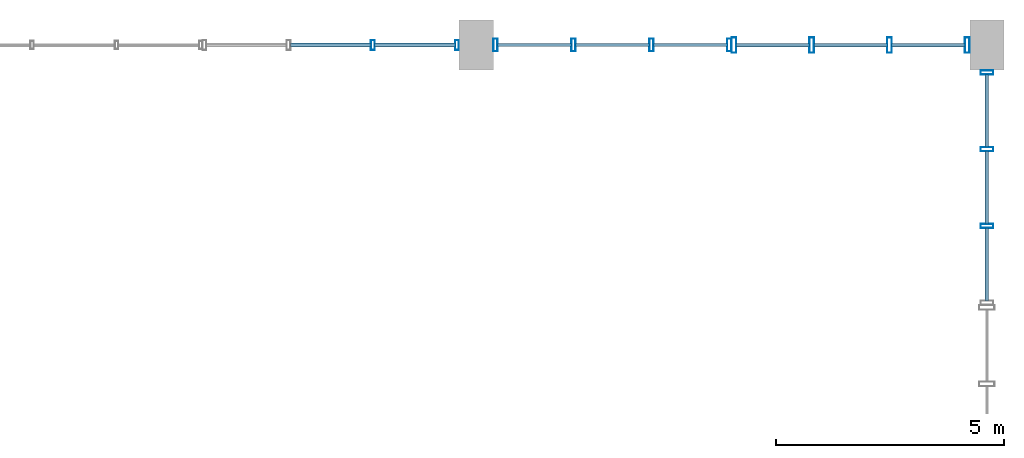
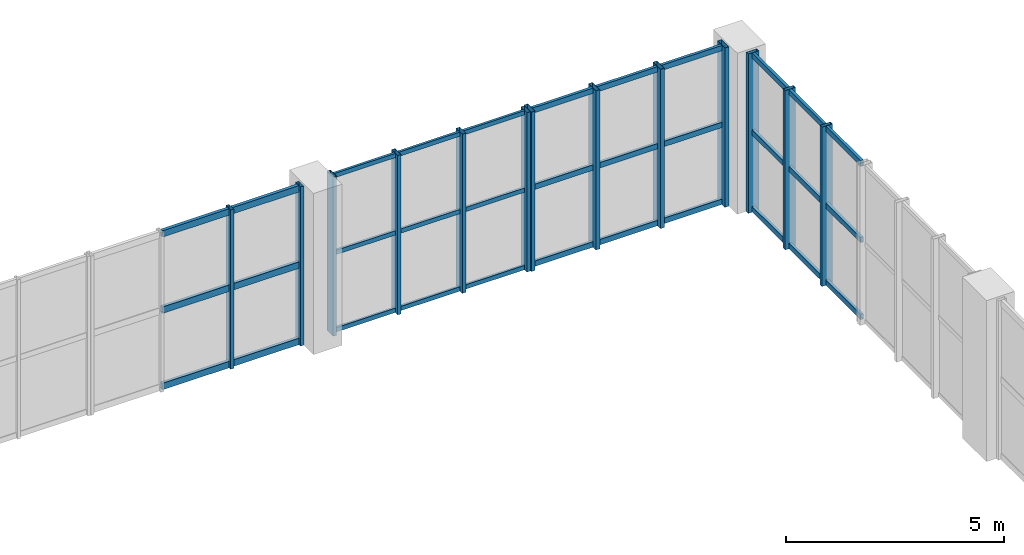
# One storey, part 29 of 48: 46 members, 4 elements without a shape of their own.
"""IFC4 building model written with IfcOpenShell, lengths in metres."""

from ifc_helpers import new_model, si_unit, direction, frame, origin, origin_2d, place, context, subcontext, project, spatial, hollow_rectangle, extrude, material, layer, layer_set, material_profile, profile_set, type_object, element, aggregate, save


model = new_model("IFC4")

# Units and contexts
model_context = context("Model", 3, precision=1e-05, world=origin(), true_north=direction((0.0, 1.0)))
body_context = subcontext(model_context, "Body", "Model", "MODEL_VIEW")
ifc_project = project(units=[si_unit("LENGTHUNIT", "METRE"), si_unit("AREAUNIT", "SQUARE_METRE"), si_unit("VOLUMEUNIT", "CUBIC_METRE"), si_unit("PLANEANGLEUNIT", "RADIAN"), si_unit("MASSUNIT", "GRAM", prefix="KILO"), si_unit("POWERUNIT", "WATT"), si_unit("THERMODYNAMICTEMPERATUREUNIT", "KELVIN")], contexts=[model_context])

# Site, building, storey
site_placement = place(None, origin())
site = spatial("IfcSite", under=ifc_project, at=site_placement, CompositionType="ELEMENT")
building_placement = place(site_placement, origin())
building = spatial("IfcBuilding", under=site, at=building_placement, Name="Kelmbourne Parkland Aquatics Centre", CompositionType="ELEMENT")
storey_placement = place(building_placement, frame((0.0, 0.0, 14.699951171875)))
storey = spatial("IfcBuildingStorey", under=building, at=storey_placement, Name="L03", CompositionType="ELEMENT", Elevation=14.699951171875)

# Curtain wall, members
ifc_material = material(Name="Thermally broken anodised aluminium framing", Category="aluminium")
ifc_layer_1 = layer(ifc_material, 0.179931640625)
ifc_layer_set_1 = layer_set([ifc_layer_1], Name="Thermally broken anodised aluminium framing")
curtain_wall_type_1 = type_object("IfcCurtainWallType", Name="CW-08", PredefinedType="NOTDEFINED", material=ifc_layer_set_1)
curtain_wall_1_placement = place(storey_placement, origin())
curtain_wall_1 = element("IfcCurtainWall", 1, at=curtain_wall_1_placement, inside=storey, type_object=curtain_wall_type_1, Name="Wave-hall clerestory curtain wall CW-L03-152", PredefinedType="NOTDEFINED")
ifc_material_profile_1 = material_profile(ifc_material, hollow_rectangle(XDim=0.0849609375, YDim=0.219970703125, WallThickness=0.0048828125, at=origin_2d()), Name="CW-M 85x220")
ifc_profile_set_1 = profile_set([ifc_material_profile_1], Name="Thermally broken anodised aluminium framing")
member_type_1 = type_object("IfcMemberType", Name="MB-MUL-3", PredefinedType="MULLION", material=ifc_profile_set_1)
member_1_placement = place(storey_placement, frame((161.734619140625, 114.800048828125, 0.0), z_axis=(0.0, 0.0, 1.0), x_axis=(1.0, 0.0, 0.0)))
member_1 = element("IfcMember", 2, at=member_1_placement, type_object=member_type_1, Name="CW-L03-152 mullion 2", PredefinedType="MULLION", context=body_context, shape_type="SweptSolid", body=[
    extrude(hollow_rectangle(XDim=0.0849609375, YDim=0.219970703125, WallThickness=0.0048828125, at=origin_2d()), origin(), (0.0, 0.0, 1.0), 4.449951171875),
])
member_2_placement = place(storey_placement, frame((163.58056640625, 114.800048828125, 0.0), z_axis=(0.0, 0.0, 1.0), x_axis=(1.0, 0.0, 0.0)))
member_2 = element("IfcMember", 3, at=member_2_placement, type_object=member_type_1, Name="CW-L03-152 mullion 3", PredefinedType="MULLION", context=body_context, shape_type="SweptSolid", body=[
    extrude(hollow_rectangle(XDim=0.0849609375, YDim=0.219970703125, WallThickness=0.0048828125, at=origin_2d()), origin(), (0.0, 0.0, 1.0), 4.449951171875),
])

ifc_layer_2 = layer(ifc_material, 0.179931640625)
ifc_layer_set_2 = layer_set([ifc_layer_2], Name="Thermally broken anodised aluminium framing")
curtain_wall_type_2 = type_object("IfcCurtainWallType", Name="CW-07", PredefinedType="NOTDEFINED", material=ifc_layer_set_2)
curtain_wall_2_placement = place(storey_placement, origin())
curtain_wall_2 = element("IfcCurtainWall", 4, at=curtain_wall_2_placement, inside=storey, type_object=curtain_wall_type_2, Name="Wave-hall clerestory curtain wall CW-L03-103", PredefinedType="NOTDEFINED")
ifc_material_profile_2 = material_profile(ifc_material, hollow_rectangle(XDim=0.094970703125, YDim=0.280029296875, WallThickness=0.005615234375, at=origin_2d()), Name="CW-M 95x280")
ifc_profile_set_2 = profile_set([ifc_material_profile_2], Name="Thermally broken anodised aluminium framing")
member_type_2 = type_object("IfcMemberType", Name="MB-MUL-4", PredefinedType="MULLION", material=ifc_profile_set_2)
member_3_placement = place(storey_placement, frame((175.199951171875, 110.831787109375, 0.0), z_axis=(0.0, 0.0, 1.0), x_axis=(0.0, 1.0, 0.0)))
member_3 = element("IfcMember", 5, at=member_3_placement, type_object=member_type_2, Name="CW-L03-103 mullion 1", PredefinedType="MULLION", context=body_context, shape_type="SweptSolid", body=[
    extrude(hollow_rectangle(XDim=0.094970703125, YDim=0.280029296875, WallThickness=0.005615234375, at=origin_2d()), origin(), (0.0, 0.0, 1.0), 4.449951171875),
])
member_4_placement = place(storey_placement, frame((175.199951171875, 112.51611328125, 0.0), z_axis=(0.0, 0.0, 1.0), x_axis=(0.0, 1.0, 0.0)))
member_4 = element("IfcMember", 6, at=member_4_placement, type_object=member_type_2, Name="CW-L03-103 mullion 2", PredefinedType="MULLION", context=body_context, shape_type="SweptSolid", body=[
    extrude(hollow_rectangle(XDim=0.094970703125, YDim=0.280029296875, WallThickness=0.005615234375, at=origin_2d()), origin(), (0.0, 0.0, 1.0), 4.449951171875),
])
member_5_placement = place(storey_placement, frame((175.199951171875, 114.200439453125, 0.0), z_axis=(0.0, 0.0, 1.0), x_axis=(0.0, 1.0, 0.0)))
member_5 = element("IfcMember", 7, at=member_5_placement, type_object=member_type_2, Name="CW-L03-103 mullion 3", PredefinedType="MULLION", context=body_context, shape_type="SweptSolid", body=[
    extrude(hollow_rectangle(XDim=0.094970703125, YDim=0.280029296875, WallThickness=0.005615234375, at=origin_2d()), origin(), (0.0, 0.0, 1.0), 4.449951171875),
])

ifc_layer_3 = layer(ifc_material, 0.179931640625)
ifc_layer_set_3 = layer_set([ifc_layer_3], Name="Thermally broken anodised aluminium framing")
curtain_wall_type_3 = type_object("IfcCurtainWallType", Name="CW-09", PredefinedType="NOTDEFINED", material=ifc_layer_set_3)
curtain_wall_3_placement = place(storey_placement, origin())
curtain_wall_3 = element("IfcCurtainWall", 8, at=curtain_wall_3_placement, inside=storey, type_object=curtain_wall_type_3, Name="Wave-hall clerestory curtain wall CW-L03-153", PredefinedType="NOTDEFINED")
member_6_placement = place(storey_placement, frame((164.424560546875, 114.800048828125, 0.0), z_axis=(0.0, 0.0, 1.0), x_axis=(1.0, 0.0, 0.0)))
member_6 = element("IfcMember", 9, at=member_6_placement, type_object=member_type_2, Name="CW-L03-153 mullion 0", PredefinedType="MULLION", context=body_context, shape_type="SweptSolid", body=[
    extrude(hollow_rectangle(XDim=0.094970703125, YDim=0.280029296875, WallThickness=0.005615234375, at=origin_2d()), origin(), (0.0, 0.0, 1.0), 4.449951171875),
])
member_7_placement = place(storey_placement, frame((166.1337890625, 114.800048828125, 0.0), z_axis=(0.0, 0.0, 1.0), x_axis=(1.0, 0.0, 0.0)))
member_7 = element("IfcMember", 10, at=member_7_placement, type_object=member_type_2, Name="CW-L03-153 mullion 1", PredefinedType="MULLION", context=body_context, shape_type="SweptSolid", body=[
    extrude(hollow_rectangle(XDim=0.094970703125, YDim=0.280029296875, WallThickness=0.005615234375, at=origin_2d()), origin(), (0.0, 0.0, 1.0), 4.449951171875),
])
member_8_placement = place(storey_placement, frame((167.84326171875, 114.800048828125, 0.0), z_axis=(0.0, 0.0, 1.0), x_axis=(1.0, 0.0, 0.0)))
member_8 = element("IfcMember", 11, at=member_8_placement, type_object=member_type_2, Name="CW-L03-153 mullion 2", PredefinedType="MULLION", context=body_context, shape_type="SweptSolid", body=[
    extrude(hollow_rectangle(XDim=0.094970703125, YDim=0.280029296875, WallThickness=0.005615234375, at=origin_2d()), origin(), (0.0, 0.0, 1.0), 4.449951171875),
])
member_9_placement = place(storey_placement, frame((169.552490234375, 114.800048828125, 0.0), z_axis=(0.0, 0.0, 1.0), x_axis=(1.0, 0.0, 0.0)))
member_9 = element("IfcMember", 12, at=member_9_placement, type_object=member_type_2, Name="CW-L03-153 mullion 3", PredefinedType="MULLION", context=body_context, shape_type="SweptSolid", body=[
    extrude(hollow_rectangle(XDim=0.094970703125, YDim=0.280029296875, WallThickness=0.005615234375, at=origin_2d()), origin(), (0.0, 0.0, 1.0), 4.449951171875),
])

ifc_layer_4 = layer(ifc_material, 0.179931640625)
ifc_layer_set_4 = layer_set([ifc_layer_4], Name="Thermally broken anodised aluminium framing")
curtain_wall_type_4 = type_object("IfcCurtainWallType", Name="CW-10", PredefinedType="NOTDEFINED", material=ifc_layer_set_4)
curtain_wall_4_placement = place(storey_placement, origin())
curtain_wall_4 = element("IfcCurtainWall", 13, at=curtain_wall_4_placement, inside=storey, type_object=curtain_wall_type_4, Name="Wave-hall clerestory curtain wall CW-L03-154", PredefinedType="NOTDEFINED")
ifc_material_profile_3 = material_profile(ifc_material, hollow_rectangle(XDim=0.10498046875, YDim=0.340087890625, WallThickness=0.006103515625, at=origin_2d()), Name="CW-M 105x340")
ifc_profile_set_3 = profile_set([ifc_material_profile_3], Name="Thermally broken anodised aluminium framing")
member_type_3 = type_object("IfcMemberType", Name="MB-MUL-5", PredefinedType="MULLION", material=ifc_profile_set_3)
member_10_placement = place(storey_placement, frame((169.652587890625, 114.800048828125, 0.0), z_axis=(0.0, 0.0, 1.0), x_axis=(1.0, 0.0, 0.0)))
member_10 = element("IfcMember", 14, at=member_10_placement, type_object=member_type_3, Name="CW-L03-154 mullion 0", PredefinedType="MULLION", context=body_context, shape_type="SweptSolid", body=[
    extrude(hollow_rectangle(XDim=0.10498046875, YDim=0.340087890625, WallThickness=0.006103515625, at=origin_2d()), origin(), (0.0, 0.0, 1.0), 4.449951171875),
])
member_11_placement = place(storey_placement, frame((171.3583984375, 114.800048828125, 0.0), z_axis=(0.0, 0.0, 1.0), x_axis=(1.0, 0.0, 0.0)))
member_11 = element("IfcMember", 15, at=member_11_placement, type_object=member_type_3, Name="CW-L03-154 mullion 1", PredefinedType="MULLION", context=body_context, shape_type="SweptSolid", body=[
    extrude(hollow_rectangle(XDim=0.10498046875, YDim=0.340087890625, WallThickness=0.006103515625, at=origin_2d()), origin(), (0.0, 0.0, 1.0), 4.449951171875),
])
member_12_placement = place(storey_placement, frame((173.064453125, 114.800048828125, 0.0), z_axis=(0.0, 0.0, 1.0), x_axis=(1.0, 0.0, 0.0)))
member_12 = element("IfcMember", 16, at=member_12_placement, type_object=member_type_3, Name="CW-L03-154 mullion 2", PredefinedType="MULLION", context=body_context, shape_type="SweptSolid", body=[
    extrude(hollow_rectangle(XDim=0.10498046875, YDim=0.340087890625, WallThickness=0.006103515625, at=origin_2d()), origin(), (0.0, 0.0, 1.0), 4.449951171875),
])
member_13_placement = place(storey_placement, frame((174.7705078125, 114.800048828125, 0.0), z_axis=(0.0, 0.0, 1.0), x_axis=(1.0, 0.0, 0.0)))
member_13 = element("IfcMember", 17, at=member_13_placement, type_object=member_type_3, Name="CW-L03-154 mullion 3", PredefinedType="MULLION", context=body_context, shape_type="SweptSolid", body=[
    extrude(hollow_rectangle(XDim=0.10498046875, YDim=0.340087890625, WallThickness=0.006103515625, at=origin_2d()), origin(), (0.0, 0.0, 1.0), 4.449951171875),
])

# Member
ifc_material_profile_4 = material_profile(ifc_material, hollow_rectangle(XDim=0.06494140625, YDim=0.1201171875, WallThickness=0.00341796875, at=origin_2d()), Name="CW-T 65x120")
ifc_profile_set_4 = profile_set([ifc_material_profile_4], Name="Thermally broken anodised aluminium framing")
member_type_4 = type_object("IfcMemberType", Name="MB-TRN-1", PredefinedType="USERDEFINED", material=ifc_profile_set_4)
member_14_placement = place(storey_placement, frame((164.468017578125, 114.800048828125, 0.06298828125), z_axis=(1.0, 0.0, 0.0), x_axis=(0.0, 1.0, 0.0)))
member_14 = element("IfcMember", 18, at=member_14_placement, type_object=member_type_4, Name="CW-L03-153 transom 0-0", ObjectType="TRANSOM", PredefinedType="USERDEFINED", context=body_context, shape_type="SweptSolid", body=[
    extrude(hollow_rectangle(XDim=0.06494140625, YDim=0.1201171875, WallThickness=0.00341796875, at=origin_2d()), origin(), (0.0, 0.0, 1.0), 1.622314453125),
])

member_15_placement = place(storey_placement, frame((166.17724609375, 114.800048828125, 0.06298828125), z_axis=(1.0, 0.0, 0.0), x_axis=(0.0, 1.0, 0.0)))
member_15 = element("IfcMember", 19, at=member_15_placement, type_object=member_type_4, Name="CW-L03-153 transom 0-1", ObjectType="TRANSOM", PredefinedType="USERDEFINED", context=body_context, shape_type="SweptSolid", body=[
    extrude(hollow_rectangle(XDim=0.06494140625, YDim=0.1201171875, WallThickness=0.00341796875, at=origin_2d()), origin(), (0.0, 0.0, 1.0), 1.62255859375),
])

member_16_placement = place(storey_placement, frame((167.88671875, 114.800048828125, 0.06298828125), z_axis=(1.0, 0.0, 0.0), x_axis=(0.0, 1.0, 0.0)))
member_16 = element("IfcMember", 20, at=member_16_placement, type_object=member_type_4, Name="CW-L03-153 transom 0-2", ObjectType="TRANSOM", PredefinedType="USERDEFINED", context=body_context, shape_type="SweptSolid", body=[
    extrude(hollow_rectangle(XDim=0.06494140625, YDim=0.1201171875, WallThickness=0.00341796875, at=origin_2d()), origin(), (0.0, 0.0, 1.0), 1.622314453125),
])

member_17_placement = place(storey_placement, frame((164.468017578125, 114.800048828125, 2.22509765625), z_axis=(1.0, 0.0, 0.0), x_axis=(0.0, 1.0, 0.0)))
member_17 = element("IfcMember", 21, at=member_17_placement, type_object=member_type_4, Name="CW-L03-153 transom 1-0", ObjectType="TRANSOM", PredefinedType="USERDEFINED", context=body_context, shape_type="SweptSolid", body=[
    extrude(hollow_rectangle(XDim=0.06494140625, YDim=0.1201171875, WallThickness=0.00341796875, at=origin_2d()), origin(), (0.0, 0.0, 1.0), 1.622314453125),
])

member_18_placement = place(storey_placement, frame((166.17724609375, 114.800048828125, 2.22509765625), z_axis=(1.0, 0.0, 0.0), x_axis=(0.0, 1.0, 0.0)))
member_18 = element("IfcMember", 22, at=member_18_placement, type_object=member_type_4, Name="CW-L03-153 transom 1-1", ObjectType="TRANSOM", PredefinedType="USERDEFINED", context=body_context, shape_type="SweptSolid", body=[
    extrude(hollow_rectangle(XDim=0.06494140625, YDim=0.1201171875, WallThickness=0.00341796875, at=origin_2d()), origin(), (0.0, 0.0, 1.0), 1.62255859375),
])

member_19_placement = place(storey_placement, frame((167.88671875, 114.800048828125, 2.22509765625), z_axis=(1.0, 0.0, 0.0), x_axis=(0.0, 1.0, 0.0)))
member_19 = element("IfcMember", 23, at=member_19_placement, type_object=member_type_4, Name="CW-L03-153 transom 1-2", ObjectType="TRANSOM", PredefinedType="USERDEFINED", context=body_context, shape_type="SweptSolid", body=[
    extrude(hollow_rectangle(XDim=0.06494140625, YDim=0.1201171875, WallThickness=0.00341796875, at=origin_2d()), origin(), (0.0, 0.0, 1.0), 1.622314453125),
])

member_20_placement = place(storey_placement, frame((164.468017578125, 114.800048828125, 4.386962890625), z_axis=(1.0, 0.0, 0.0), x_axis=(0.0, 1.0, 0.0)))
member_20 = element("IfcMember", 24, at=member_20_placement, type_object=member_type_4, Name="CW-L03-153 transom 2-0", ObjectType="TRANSOM", PredefinedType="USERDEFINED", context=body_context, shape_type="SweptSolid", body=[
    extrude(hollow_rectangle(XDim=0.06494140625, YDim=0.1201171875, WallThickness=0.00341796875, at=origin_2d()), origin(), (0.0, 0.0, 1.0), 1.622314453125),
])

member_21_placement = place(storey_placement, frame((166.17724609375, 114.800048828125, 4.386962890625), z_axis=(1.0, 0.0, 0.0), x_axis=(0.0, 1.0, 0.0)))
member_21 = element("IfcMember", 25, at=member_21_placement, type_object=member_type_4, Name="CW-L03-153 transom 2-1", ObjectType="TRANSOM", PredefinedType="USERDEFINED", context=body_context, shape_type="SweptSolid", body=[
    extrude(hollow_rectangle(XDim=0.06494140625, YDim=0.1201171875, WallThickness=0.00341796875, at=origin_2d()), origin(), (0.0, 0.0, 1.0), 1.62255859375),
])

member_22_placement = place(storey_placement, frame((167.88671875, 114.800048828125, 4.386962890625), z_axis=(1.0, 0.0, 0.0), x_axis=(0.0, 1.0, 0.0)))
member_22 = element("IfcMember", 26, at=member_22_placement, type_object=member_type_4, Name="CW-L03-153 transom 2-2", ObjectType="TRANSOM", PredefinedType="USERDEFINED", context=body_context, shape_type="SweptSolid", body=[
    extrude(hollow_rectangle(XDim=0.06494140625, YDim=0.1201171875, WallThickness=0.00341796875, at=origin_2d()), origin(), (0.0, 0.0, 1.0), 1.622314453125),
])

aggregate(curtain_wall_3, [member_6, member_7, member_8, member_9, member_14, member_15, member_16, member_17, member_18, member_19, member_20, member_21, member_22])

ifc_material_profile_5 = material_profile(ifc_material, hollow_rectangle(XDim=0.074951171875, YDim=0.14990234375, WallThickness=0.00390625, at=origin_2d()), Name="CW-T 75x150")
ifc_profile_set_5 = profile_set([ifc_material_profile_5], Name="Thermally broken anodised aluminium framing")
member_type_5 = type_object("IfcMemberType", Name="MB-TRN-2", PredefinedType="USERDEFINED", material=ifc_profile_set_5)
member_23_placement = place(storey_placement, frame((175.199951171875, 109.19091796875, 0.078125), z_axis=(0.0, 1.0, 0.0), x_axis=(-1.0, 0.0, 0.0)))
member_23 = element("IfcMember", 27, at=member_23_placement, type_object=member_type_5, Name="CW-L03-103 transom 0-0", ObjectType="TRANSOM", PredefinedType="USERDEFINED", context=body_context, shape_type="SweptSolid", body=[
    extrude(hollow_rectangle(XDim=0.074951171875, YDim=0.14990234375, WallThickness=0.00390625, at=origin_2d()), origin(), (0.0, 0.0, 1.0), 1.597412109375),
])

member_24_placement = place(storey_placement, frame((175.199951171875, 110.875244140625, 0.078125), z_axis=(0.0, 1.0, 0.0), x_axis=(-1.0, 0.0, 0.0)))
member_24 = element("IfcMember", 28, at=member_24_placement, type_object=member_type_5, Name="CW-L03-103 transom 0-1", ObjectType="TRANSOM", PredefinedType="USERDEFINED", context=body_context, shape_type="SweptSolid", body=[
    extrude(hollow_rectangle(XDim=0.074951171875, YDim=0.14990234375, WallThickness=0.00390625, at=origin_2d()), origin(), (0.0, 0.0, 1.0), 1.597412109375),
])

member_25_placement = place(storey_placement, frame((175.199951171875, 112.559814453125, 0.078125), z_axis=(0.0, 1.0, 0.0), x_axis=(-1.0, 0.0, 0.0)))
member_25 = element("IfcMember", 29, at=member_25_placement, type_object=member_type_5, Name="CW-L03-103 transom 0-2", ObjectType="TRANSOM", PredefinedType="USERDEFINED", context=body_context, shape_type="SweptSolid", body=[
    extrude(hollow_rectangle(XDim=0.074951171875, YDim=0.14990234375, WallThickness=0.00390625, at=origin_2d()), origin(), (0.0, 0.0, 1.0), 1.59716796875),
])

member_26_placement = place(storey_placement, frame((175.199951171875, 109.19091796875, 2.22509765625), z_axis=(0.0, 1.0, 0.0), x_axis=(-1.0, 0.0, 0.0)))
member_26 = element("IfcMember", 30, at=member_26_placement, type_object=member_type_5, Name="CW-L03-103 transom 1-0", ObjectType="TRANSOM", PredefinedType="USERDEFINED", context=body_context, shape_type="SweptSolid", body=[
    extrude(hollow_rectangle(XDim=0.074951171875, YDim=0.14990234375, WallThickness=0.00390625, at=origin_2d()), origin(), (0.0, 0.0, 1.0), 1.597412109375),
])

member_27_placement = place(storey_placement, frame((175.199951171875, 110.875244140625, 2.22509765625), z_axis=(0.0, 1.0, 0.0), x_axis=(-1.0, 0.0, 0.0)))
member_27 = element("IfcMember", 31, at=member_27_placement, type_object=member_type_5, Name="CW-L03-103 transom 1-1", ObjectType="TRANSOM", PredefinedType="USERDEFINED", context=body_context, shape_type="SweptSolid", body=[
    extrude(hollow_rectangle(XDim=0.074951171875, YDim=0.14990234375, WallThickness=0.00390625, at=origin_2d()), origin(), (0.0, 0.0, 1.0), 1.597412109375),
])

member_28_placement = place(storey_placement, frame((175.199951171875, 112.559814453125, 2.22509765625), z_axis=(0.0, 1.0, 0.0), x_axis=(-1.0, 0.0, 0.0)))
member_28 = element("IfcMember", 32, at=member_28_placement, type_object=member_type_5, Name="CW-L03-103 transom 1-2", ObjectType="TRANSOM", PredefinedType="USERDEFINED", context=body_context, shape_type="SweptSolid", body=[
    extrude(hollow_rectangle(XDim=0.074951171875, YDim=0.14990234375, WallThickness=0.00390625, at=origin_2d()), origin(), (0.0, 0.0, 1.0), 1.59716796875),
])

member_29_placement = place(storey_placement, frame((175.199951171875, 109.19091796875, 4.3720703125), z_axis=(0.0, 1.0, 0.0), x_axis=(-1.0, 0.0, 0.0)))
member_29 = element("IfcMember", 33, at=member_29_placement, type_object=member_type_5, Name="CW-L03-103 transom 2-0", ObjectType="TRANSOM", PredefinedType="USERDEFINED", context=body_context, shape_type="SweptSolid", body=[
    extrude(hollow_rectangle(XDim=0.074951171875, YDim=0.14990234375, WallThickness=0.00390625, at=origin_2d()), origin(), (0.0, 0.0, 1.0), 1.597412109375),
])

member_30_placement = place(storey_placement, frame((175.199951171875, 110.875244140625, 4.3720703125), z_axis=(0.0, 1.0, 0.0), x_axis=(-1.0, 0.0, 0.0)))
member_30 = element("IfcMember", 34, at=member_30_placement, type_object=member_type_5, Name="CW-L03-103 transom 2-1", ObjectType="TRANSOM", PredefinedType="USERDEFINED", context=body_context, shape_type="SweptSolid", body=[
    extrude(hollow_rectangle(XDim=0.074951171875, YDim=0.14990234375, WallThickness=0.00390625, at=origin_2d()), origin(), (0.0, 0.0, 1.0), 1.597412109375),
])

member_31_placement = place(storey_placement, frame((175.199951171875, 112.559814453125, 4.3720703125), z_axis=(0.0, 1.0, 0.0), x_axis=(-1.0, 0.0, 0.0)))
member_31 = element("IfcMember", 35, at=member_31_placement, type_object=member_type_5, Name="CW-L03-103 transom 2-2", ObjectType="TRANSOM", PredefinedType="USERDEFINED", context=body_context, shape_type="SweptSolid", body=[
    extrude(hollow_rectangle(XDim=0.074951171875, YDim=0.14990234375, WallThickness=0.00390625, at=origin_2d()), origin(), (0.0, 0.0, 1.0), 1.59716796875),
])

aggregate(curtain_wall_2, [member_3, member_4, member_5, member_23, member_24, member_25, member_26, member_27, member_28, member_29, member_30, member_31])

member_32_placement = place(storey_placement, frame((169.700927734375, 114.800048828125, 0.078125), z_axis=(1.0, 0.0, 0.0), x_axis=(0.0, 1.0, 0.0)))
member_32 = element("IfcMember", 36, at=member_32_placement, type_object=member_type_5, Name="CW-L03-154 transom 0-0", ObjectType="TRANSOM", PredefinedType="USERDEFINED", context=body_context, shape_type="SweptSolid", body=[
    extrude(hollow_rectangle(XDim=0.074951171875, YDim=0.14990234375, WallThickness=0.00390625, at=origin_2d()), origin(), (0.0, 0.0, 1.0), 1.609130859375),
])

member_33_placement = place(storey_placement, frame((171.406982421875, 114.800048828125, 0.078125), z_axis=(1.0, 0.0, 0.0), x_axis=(0.0, 1.0, 0.0)))
member_33 = element("IfcMember", 37, at=member_33_placement, type_object=member_type_5, Name="CW-L03-154 transom 0-1", ObjectType="TRANSOM", PredefinedType="USERDEFINED", context=body_context, shape_type="SweptSolid", body=[
    extrude(hollow_rectangle(XDim=0.074951171875, YDim=0.14990234375, WallThickness=0.00390625, at=origin_2d()), origin(), (0.0, 0.0, 1.0), 1.609130859375),
])

member_34_placement = place(storey_placement, frame((173.113037109375, 114.800048828125, 0.078125), z_axis=(1.0, 0.0, 0.0), x_axis=(0.0, 1.0, 0.0)))
member_34 = element("IfcMember", 38, at=member_34_placement, type_object=member_type_5, Name="CW-L03-154 transom 0-2", ObjectType="TRANSOM", PredefinedType="USERDEFINED", context=body_context, shape_type="SweptSolid", body=[
    extrude(hollow_rectangle(XDim=0.074951171875, YDim=0.14990234375, WallThickness=0.00390625, at=origin_2d()), origin(), (0.0, 0.0, 1.0), 1.60888671875),
])

member_35_placement = place(storey_placement, frame((169.700927734375, 114.800048828125, 2.22509765625), z_axis=(1.0, 0.0, 0.0), x_axis=(0.0, 1.0, 0.0)))
member_35 = element("IfcMember", 39, at=member_35_placement, type_object=member_type_5, Name="CW-L03-154 transom 1-0", ObjectType="TRANSOM", PredefinedType="USERDEFINED", context=body_context, shape_type="SweptSolid", body=[
    extrude(hollow_rectangle(XDim=0.074951171875, YDim=0.14990234375, WallThickness=0.00390625, at=origin_2d()), origin(), (0.0, 0.0, 1.0), 1.609130859375),
])

member_36_placement = place(storey_placement, frame((171.406982421875, 114.800048828125, 2.22509765625), z_axis=(1.0, 0.0, 0.0), x_axis=(0.0, 1.0, 0.0)))
member_36 = element("IfcMember", 40, at=member_36_placement, type_object=member_type_5, Name="CW-L03-154 transom 1-1", ObjectType="TRANSOM", PredefinedType="USERDEFINED", context=body_context, shape_type="SweptSolid", body=[
    extrude(hollow_rectangle(XDim=0.074951171875, YDim=0.14990234375, WallThickness=0.00390625, at=origin_2d()), origin(), (0.0, 0.0, 1.0), 1.609130859375),
])

member_37_placement = place(storey_placement, frame((173.113037109375, 114.800048828125, 2.22509765625), z_axis=(1.0, 0.0, 0.0), x_axis=(0.0, 1.0, 0.0)))
member_37 = element("IfcMember", 41, at=member_37_placement, type_object=member_type_5, Name="CW-L03-154 transom 1-2", ObjectType="TRANSOM", PredefinedType="USERDEFINED", context=body_context, shape_type="SweptSolid", body=[
    extrude(hollow_rectangle(XDim=0.074951171875, YDim=0.14990234375, WallThickness=0.00390625, at=origin_2d()), origin(), (0.0, 0.0, 1.0), 1.60888671875),
])

member_38_placement = place(storey_placement, frame((169.700927734375, 114.800048828125, 4.3720703125), z_axis=(1.0, 0.0, 0.0), x_axis=(0.0, 1.0, 0.0)))
member_38 = element("IfcMember", 42, at=member_38_placement, type_object=member_type_5, Name="CW-L03-154 transom 2-0", ObjectType="TRANSOM", PredefinedType="USERDEFINED", context=body_context, shape_type="SweptSolid", body=[
    extrude(hollow_rectangle(XDim=0.074951171875, YDim=0.14990234375, WallThickness=0.00390625, at=origin_2d()), origin(), (0.0, 0.0, 1.0), 1.609130859375),
])

member_39_placement = place(storey_placement, frame((171.406982421875, 114.800048828125, 4.3720703125), z_axis=(1.0, 0.0, 0.0), x_axis=(0.0, 1.0, 0.0)))
member_39 = element("IfcMember", 43, at=member_39_placement, type_object=member_type_5, Name="CW-L03-154 transom 2-1", ObjectType="TRANSOM", PredefinedType="USERDEFINED", context=body_context, shape_type="SweptSolid", body=[
    extrude(hollow_rectangle(XDim=0.074951171875, YDim=0.14990234375, WallThickness=0.00390625, at=origin_2d()), origin(), (0.0, 0.0, 1.0), 1.609130859375),
])

member_40_placement = place(storey_placement, frame((173.113037109375, 114.800048828125, 4.3720703125), z_axis=(1.0, 0.0, 0.0), x_axis=(0.0, 1.0, 0.0)))
member_40 = element("IfcMember", 44, at=member_40_placement, type_object=member_type_5, Name="CW-L03-154 transom 2-2", ObjectType="TRANSOM", PredefinedType="USERDEFINED", context=body_context, shape_type="SweptSolid", body=[
    extrude(hollow_rectangle(XDim=0.074951171875, YDim=0.14990234375, WallThickness=0.00390625, at=origin_2d()), origin(), (0.0, 0.0, 1.0), 1.60888671875),
])

aggregate(curtain_wall_4, [member_10, member_11, member_12, member_13, member_32, member_33, member_34, member_35, member_36, member_37, member_38, member_39, member_40])

ifc_material_profile_6 = material_profile(ifc_material, hollow_rectangle(XDim=0.0849609375, YDim=0.179931640625, WallThickness=0.00439453125, at=origin_2d()), Name="CW-T 85x180")
ifc_profile_set_6 = profile_set([ifc_material_profile_6], Name="Thermally broken anodised aluminium framing")
member_type_6 = type_object("IfcMemberType", Name="MB-TRN-3", PredefinedType="USERDEFINED", material=ifc_profile_set_6)
member_41_placement = place(storey_placement, frame((159.927001953125, 114.800048828125, 0.093017578125), z_axis=(1.0, 0.0, 0.0), x_axis=(0.0, 1.0, 0.0)))
member_41 = element("IfcMember", 45, at=member_41_placement, type_object=member_type_6, Name="CW-L03-152 transom 0-1", ObjectType="TRANSOM", PredefinedType="USERDEFINED", context=body_context, shape_type="SweptSolid", body=[
    extrude(hollow_rectangle(XDim=0.0849609375, YDim=0.179931640625, WallThickness=0.00439453125, at=origin_2d()), origin(), (0.0, 0.0, 1.0), 1.76904296875),
])

member_42_placement = place(storey_placement, frame((161.77294921875, 114.800048828125, 0.093017578125), z_axis=(1.0, 0.0, 0.0), x_axis=(0.0, 1.0, 0.0)))
member_42 = element("IfcMember", 46, at=member_42_placement, type_object=member_type_6, Name="CW-L03-152 transom 0-2", ObjectType="TRANSOM", PredefinedType="USERDEFINED", context=body_context, shape_type="SweptSolid", body=[
    extrude(hollow_rectangle(XDim=0.0849609375, YDim=0.179931640625, WallThickness=0.00439453125, at=origin_2d()), origin(), (0.0, 0.0, 1.0), 1.76904296875),
])

member_43_placement = place(storey_placement, frame((159.927001953125, 114.800048828125, 2.22509765625), z_axis=(1.0, 0.0, 0.0), x_axis=(0.0, 1.0, 0.0)))
member_43 = element("IfcMember", 47, at=member_43_placement, type_object=member_type_6, Name="CW-L03-152 transom 1-1", ObjectType="TRANSOM", PredefinedType="USERDEFINED", context=body_context, shape_type="SweptSolid", body=[
    extrude(hollow_rectangle(XDim=0.0849609375, YDim=0.179931640625, WallThickness=0.00439453125, at=origin_2d()), origin(), (0.0, 0.0, 1.0), 1.76904296875),
])

member_44_placement = place(storey_placement, frame((161.77294921875, 114.800048828125, 2.22509765625), z_axis=(1.0, 0.0, 0.0), x_axis=(0.0, 1.0, 0.0)))
member_44 = element("IfcMember", 48, at=member_44_placement, type_object=member_type_6, Name="CW-L03-152 transom 1-2", ObjectType="TRANSOM", PredefinedType="USERDEFINED", context=body_context, shape_type="SweptSolid", body=[
    extrude(hollow_rectangle(XDim=0.0849609375, YDim=0.179931640625, WallThickness=0.00439453125, at=origin_2d()), origin(), (0.0, 0.0, 1.0), 1.76904296875),
])

member_45_placement = place(storey_placement, frame((159.927001953125, 114.800048828125, 4.35693359375), z_axis=(1.0, 0.0, 0.0), x_axis=(0.0, 1.0, 0.0)))
member_45 = element("IfcMember", 49, at=member_45_placement, type_object=member_type_6, Name="CW-L03-152 transom 2-1", ObjectType="TRANSOM", PredefinedType="USERDEFINED", context=body_context, shape_type="SweptSolid", body=[
    extrude(hollow_rectangle(XDim=0.0849609375, YDim=0.179931640625, WallThickness=0.00439453125, at=origin_2d()), origin(), (0.0, 0.0, 1.0), 1.76904296875),
])

member_46_placement = place(storey_placement, frame((161.77294921875, 114.800048828125, 4.35693359375), z_axis=(1.0, 0.0, 0.0), x_axis=(0.0, 1.0, 0.0)))
member_46 = element("IfcMember", 50, at=member_46_placement, type_object=member_type_6, Name="CW-L03-152 transom 2-2", ObjectType="TRANSOM", PredefinedType="USERDEFINED", context=body_context, shape_type="SweptSolid", body=[
    extrude(hollow_rectangle(XDim=0.0849609375, YDim=0.179931640625, WallThickness=0.00439453125, at=origin_2d()), origin(), (0.0, 0.0, 1.0), 1.76904296875),
])

aggregate(curtain_wall_1, [member_1, member_2, member_41, member_42, member_43, member_44, member_45, member_46])

save(model, "model.ifc")
